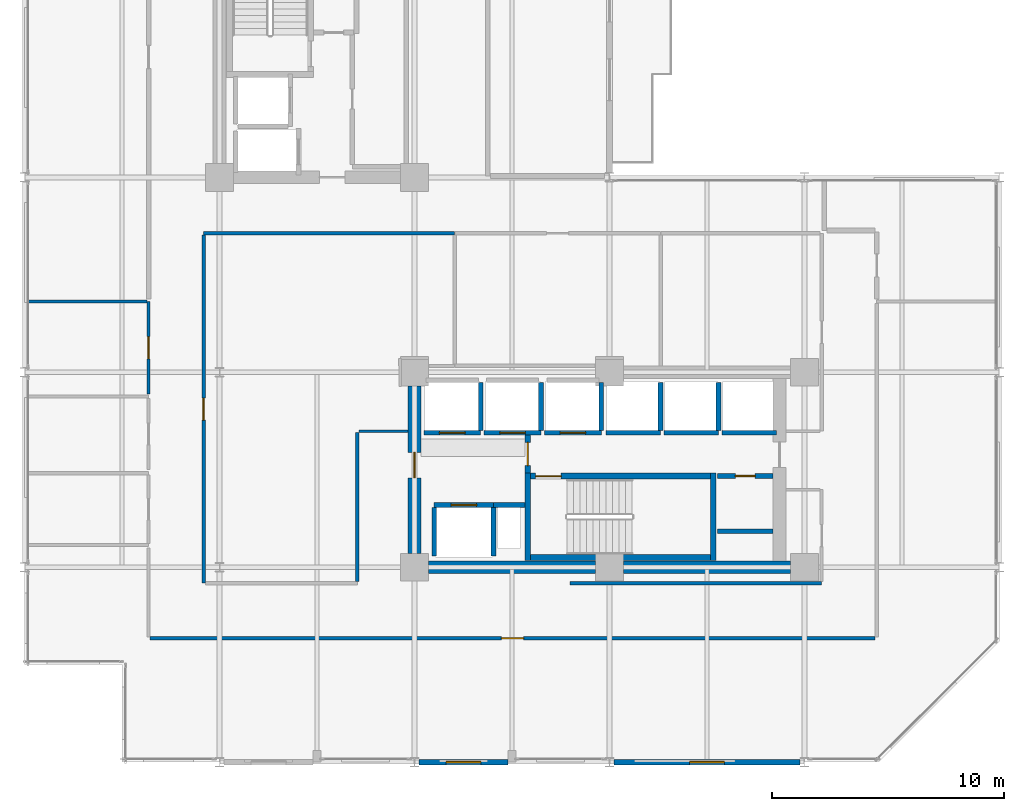
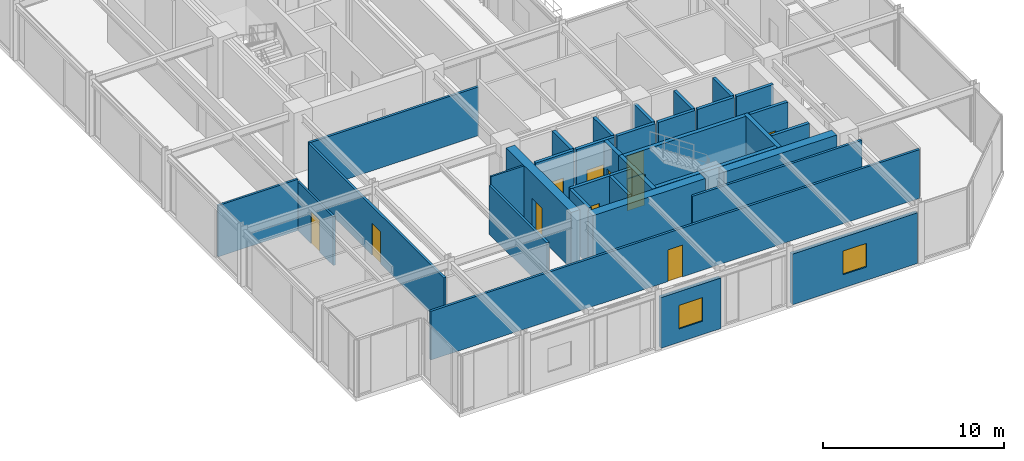
# One storey, part 24 of 29: 35 walls, 11 doors, 2 windows, 13 openings.
"""IFC4 building model written with IfcOpenShell, lengths in metres."""

from ifc_helpers import new_model, si_unit, direction, frame, frame_2d, origin, place, context, subcontext, project, spatial, rectangle, extrude, material, layer, layer_set, type_object, element, fill, save


model = new_model("IFC4")

# Units and contexts
model_context = context("Model", 3, precision=1e-05, world=origin(), true_north=direction((0.0, 1.0)))
body_context = subcontext(model_context, "Body", "Model", "MODEL_VIEW")
ifc_project = project(units=[si_unit("LENGTHUNIT", "METRE"), si_unit("AREAUNIT", "SQUARE_METRE"), si_unit("VOLUMEUNIT", "CUBIC_METRE"), si_unit("PLANEANGLEUNIT", "RADIAN"), si_unit("MASSUNIT", "GRAM", prefix="KILO")], contexts=[model_context])

# Site, building, storey
site_placement = place(None, origin())
site = spatial("IfcSite", under=ifc_project, at=site_placement, CompositionType="ELEMENT")
building_placement = place(site_placement, origin())
building = spatial("IfcBuilding", under=site, at=building_placement, Name="Nerrivon Quay Data Exchange", CompositionType="ELEMENT")
storey_placement = place(building_placement, frame((0.0, 0.0, 150.0)))
storey = spatial("IfcBuildingStorey", under=building, at=storey_placement, Name="L35", CompositionType="ELEMENT", Elevation=150.0)

# Wall, opening, window
ifc_material_1 = material(Name="Architectural terracotta precast concrete N50 (50 MPa)", Category="masonry")
ifc_layer_1 = layer(ifc_material_1, 0.239990234375)
ifc_layer_set_1 = layer_set([ifc_layer_1], Name="Architectural terracotta precast concrete N50 (50 MPa)")
wall_type_1 = type_object("IfcWallType", Name="EW-PREC-240", PredefinedType="STANDARD", material=ifc_layer_set_1)
wall_1_placement = place(storey_placement, frame((33.39990234375, 0.0, 0.0), z_axis=(0.0, 0.0, 1.0), x_axis=(-1.0, 0.0, 0.0)))
wall_1 = element("IfcWall", 1, at=wall_1_placement, inside=storey, type_object=wall_type_1, Name="L35 Podium Precast Spandrel Wall 3", PredefinedType="STANDARD", context=body_context, shape_type="SweptSolid", body=[
    extrude(rectangle(XDim=8.0, YDim=0.239990234375, at=frame_2d((4.0, 0.0))), origin(), (0.0, 0.0, 1.0), 3.422119140625),
])
opening_1_placement = place(wall_1_placement, frame((3.25, 0.0, 0.89990234375)))
opening_1 = element("IfcOpeningElement", 2, at=opening_1_placement, cuts=wall_1, Name="Opening WN4", PredefinedType="OPENING", context=body_context, shape_type="SweptSolid", body=[
    extrude(rectangle(XDim=1.5, YDim=1.60009765625, at=frame_2d((0.75, 0.800048828125))), frame((0.0, 0.1298828125, 0.0), z_axis=(0.0, -1.0, 0.0), x_axis=(1.0, 0.0, 0.0)), (0.0, 0.0, 1.0), 0.260009765625),
])
ifc_material_2 = material(Name="Double-glazed low-E solar control glass", Category="glass")
window_type = type_object("IfcWindowType", Name="WIN-W4-1500x1600", PartitioningType="SINGLE_PANEL", PredefinedType="WINDOW", material=ifc_material_2)
window_1_placement = place(opening_1_placement, origin())
window_1 = element("IfcWindow", 3, at=window_1_placement, inside=storey, type_object=window_type, Name="L35 Solar Facade Window 3", OverallHeight=1.60009765625, OverallWidth=1.5, PartitioningType="SINGLE_PANEL", PredefinedType="WINDOW", context=body_context, shape_type="SweptSolid", body=[
    extrude(rectangle(XDim=1.5, YDim=1.60009765625, at=frame_2d((0.75, 0.800048828125))), frame((0.0, 0.030029296875, 0.0), z_axis=(0.0, -1.0, 0.0), x_axis=(1.0, 0.0, 0.0)), (0.0, 0.0, 1.0), 0.06005859375),
])
fill(opening_1, window_1)

wall_2_placement = place(storey_placement, frame((20.824951171875, 0.0, 0.0), z_axis=(0.0, 0.0, 1.0), x_axis=(-1.0, 0.0, 0.0)))
wall_2 = element("IfcWall", 4, at=wall_2_placement, inside=storey, type_object=wall_type_1, Name="L35 Podium Precast Spandrel Wall 5", PredefinedType="STANDARD", context=body_context, shape_type="SweptSolid", body=[
    extrude(rectangle(XDim=3.824951171875, YDim=0.239990234375, at=frame_2d((1.91259765625, 0.0))), origin(), (0.0, 0.0, 1.0), 3.422119140625),
])
opening_2_placement = place(wall_2_placement, frame((1.16259765625, 0.0, 0.89990234375)))
opening_2 = element("IfcOpeningElement", 5, at=opening_2_placement, cuts=wall_2, Name="Opening WN4", PredefinedType="OPENING", context=body_context, shape_type="SweptSolid", body=[
    extrude(rectangle(XDim=1.5, YDim=1.60009765625, at=frame_2d((0.75, 0.800048828125))), frame((0.0, 0.1298828125, 0.0), z_axis=(0.0, -1.0, 0.0), x_axis=(1.0, 0.0, 0.0)), (0.0, 0.0, 1.0), 0.260009765625),
])
window_2_placement = place(opening_2_placement, origin())
window_2 = element("IfcWindow", 6, at=window_2_placement, inside=storey, type_object=window_type, Name="L35 Solar Facade Window 5", OverallHeight=1.60009765625, OverallWidth=1.5, PartitioningType="SINGLE_PANEL", PredefinedType="WINDOW", context=body_context, shape_type="SweptSolid", body=[
    extrude(rectangle(XDim=1.5, YDim=1.60009765625, at=frame_2d((0.75, 0.800048828125))), frame((0.0, 0.030029296875, 0.0), z_axis=(0.0, -1.0, 0.0), x_axis=(1.0, 0.0, 0.0)), (0.0, 0.0, 1.0), 0.06005859375),
])
fill(opening_2, window_2)

# Walls
ifc_material_3 = material(Name="Concrete S65 (65 MPa)", Category="concrete")
ifc_layer_2 = layer(ifc_material_3, 0.550048828125)
ifc_layer_set_2 = layer_set([ifc_layer_2], Name="Concrete S65 (65 MPa)")
wall_type_2 = type_object("IfcWallType", Name="WALL-CW-700", PredefinedType="SHEAR", material=ifc_layer_set_2)
wall_3_placement = place(storey_placement, frame((17.39990234375, 8.39990234375, 0.0), z_axis=(0.0, 0.0, 1.0), x_axis=(1.0, 0.0, 0.0)))
element("IfcWall", 7, at=wall_3_placement, inside=storey, type_object=wall_type_2, Name="L35 East Split-Core Shear Wall ECW-S1", PredefinedType="SHEAR", context=body_context, shape_type="SweptSolid", body=[
    extrude(rectangle(XDim=7.2001953125, YDim=0.550048828125, at=frame_2d((3.60009765625, 0.0))), origin(), (0.0, 0.0, 1.0), 3.824951171875),
])
wall_4_placement = place(storey_placement, frame((25.800048828125, 8.39990234375, 0.0), z_axis=(0.0, 0.0, 1.0), x_axis=(1.0, 0.0, 0.0)))
element("IfcWall", 8, at=wall_4_placement, inside=storey, type_object=wall_type_2, Name="L35 East Split-Core Shear Wall ECW-S2", PredefinedType="SHEAR", context=body_context, shape_type="SweptSolid", body=[
    extrude(rectangle(XDim=7.199951171875, YDim=0.550048828125, at=frame_2d((3.60009765625, 0.0))), origin(), (0.0, 0.0, 1.0), 3.824951171875),
])

# Wall, opening, door
wall_5_placement = place(storey_placement, frame((16.800048828125, 9.0, 0.0), z_axis=(0.0, 0.0, 1.0), x_axis=(0.0, 1.0, 0.0)))
wall_5 = element("IfcWall", 9, at=wall_5_placement, inside=storey, type_object=wall_type_2, Name="L35 East Split-Core Shear Wall ECW-W1", PredefinedType="SHEAR", context=body_context, shape_type="SweptSolid", body=[
    extrude(rectangle(XDim=7.199951171875, YDim=0.550048828125, at=frame_2d((3.60009765625, 0.0))), origin(), (0.0, 0.0, 1.0), 3.824951171875),
])
opening_3_placement = place(wall_5_placement, frame((3.25, 0.0, 0.0)))
opening_3 = element("IfcOpeningElement", 10, at=opening_3_placement, cuts=wall_5, Name="Opening FD-120", PredefinedType="OPENING", context=body_context, shape_type="SweptSolid", body=[
    extrude(rectangle(XDim=1.10009765625, YDim=2.14990234375, at=frame_2d((0.550048828125, 1.074951171875))), frame((0.0, 0.284912109375, 0.0), z_axis=(0.0, -1.0, 0.0), x_axis=(1.0, 0.0, 0.0)), (0.0, 0.0, 1.0), 0.570068359375),
])
ifc_material_4 = material(Name="Powder-coated galvanized steel sheet", Category="steel")
door_type_1 = type_object("IfcDoorType", Name="DR-FD120-1100", OperationType="NOTDEFINED", PredefinedType="DOOR", material=ifc_material_4)
door_1_placement = place(opening_3_placement, origin())
door_1 = element("IfcDoor", 11, at=door_1_placement, inside=storey, type_object=door_type_1, Name="L35 East Core Lobby Fire Door", OperationType="SINGLE_SWING_RIGHT", OverallHeight=2.14990234375, OverallWidth=1.10009765625, PredefinedType="DOOR", context=body_context, shape_type="SweptSolid", body=[
    extrude(rectangle(XDim=1.10009765625, YDim=2.14990234375, at=frame_2d((0.550048828125, 1.074951171875))), frame((0.0, 0.02490234375, 0.0), z_axis=(0.0, -1.0, 0.0), x_axis=(1.0, 0.0, 0.0)), (0.0, 0.0, 1.0), 0.050048828125),
])
fill(opening_3, door_1)

# Wall
ifc_material_5 = material(Name="Gypsum plasterboard on cold-formed framing", Category="gypsum")
ifc_layer_3 = layer(ifc_material_5, 0.199951171875)
ifc_layer_set_3 = layer_set([ifc_layer_3], Name="Gypsum plasterboard on cold-formed framing")
wall_type_3 = type_object("IfcWallType", Name="WALL-FW-200", PredefinedType="PARTITIONING", material=ifc_layer_set_3)
wall_6_placement = place(storey_placement, frame((20.199951171875, 11.080078125, 0.0), z_axis=(0.0, 0.0, 1.0), x_axis=(1.0, 0.0, 0.0)))
element("IfcWall", 12, at=wall_6_placement, inside=storey, type_object=wall_type_3, Name="L35 East Core MEP Riser Shaft Wall N", PredefinedType="PARTITIONING", context=body_context, shape_type="SweptSolid", body=[
    extrude(rectangle(XDim=1.35009765625, YDim=0.199951171875, at=frame_2d((0.675048828125, 0.0))), origin(), (0.0, 0.0, 1.0), 3.824951171875),
])

# Wall, opening, door
wall_7_placement = place(storey_placement, frame((17.64990234375, 11.080078125, 0.0), z_axis=(0.0, 0.0, 1.0), x_axis=(1.0, 0.0, 0.0)))
wall_7 = element("IfcWall", 13, at=wall_7_placement, inside=storey, type_object=wall_type_3, Name="L35 Lift Front Wall FFL-2", PredefinedType="PARTITIONING", context=body_context, shape_type="SweptSolid", body=[
    extrude(rectangle(XDim=2.550048828125, YDim=0.199951171875, at=frame_2d((1.27490234375, 0.0))), origin(), (0.0, 0.0, 1.0), 3.824951171875),
])
opening_4_placement = place(wall_7_placement, frame((0.72509765625, 0.0, 0.0)))
opening_4 = element("IfcOpeningElement", 14, at=opening_4_placement, cuts=wall_7, Name="Opening LD-120", PredefinedType="OPENING", context=body_context, shape_type="SweptSolid", body=[
    extrude(rectangle(XDim=1.10009765625, YDim=2.199951171875, at=frame_2d((0.550048828125, 1.10009765625))), frame((0.0, 0.10986328125, 0.0), z_axis=(0.0, -1.0, 0.0), x_axis=(1.0, 0.0, 0.0)), (0.0, 0.0, 1.0), 0.219970703125),
])
door_type_2 = type_object("IfcDoorType", Name="DR-LIFT-LD120", OperationType="DOUBLE_DOOR_SLIDING", PredefinedType="DOOR", material=ifc_material_4)
door_2_placement = place(opening_4_placement, origin())
door_2 = element("IfcDoor", 15, at=door_2_placement, inside=storey, type_object=door_type_2, Name="L35 Lift Landing Sliding Door FFL-2", OperationType="DOUBLE_DOOR_SLIDING", OverallHeight=2.199951171875, OverallWidth=1.10009765625, PredefinedType="DOOR", context=body_context, shape_type="SweptSolid", body=[
    extrude(rectangle(XDim=1.10009765625, YDim=2.199951171875, at=frame_2d((0.550048828125, 1.10009765625))), frame((0.0, 0.02490234375, 0.0), z_axis=(0.0, -1.0, 0.0), x_axis=(1.0, 0.0, 0.0)), (0.0, 0.0, 1.0), 0.050048828125),
])
fill(opening_4, door_2)

# Walls
for number, where, z_axis, x_axis, name in (
    (16, (20.199951171875, 8.8798828125, 0.0), (0.0, 0.0, 1.0), (0.0, 1.0, 0.0), "L35 Lift Shaft Wall FFL-2 EAST"),
    (17, (17.64990234375, 8.8798828125, 0.0), (0.0, 0.0, 1.0), (0.0, 1.0, 0.0), "L35 Lift Shaft Wall FFL-2 WEST"),
):
    element("IfcWall", number, at=place(storey_placement, frame(where, z_axis=z_axis, x_axis=x_axis)), inside=storey, type_object=wall_type_3, Name=name, PredefinedType="PARTITIONING", context=body_context, shape_type="SweptSolid", body=[
        extrude(rectangle(XDim=2.10009765625, YDim=0.199951171875, at=frame_2d((1.050048828125, 0.0))), origin(), (0.0, 0.0, 1.0), 3.824951171875),
    ])

# Wall, opening, door
wall_8_placement = place(storey_placement, frame((17.199951171875, 14.199951171875, 0.0), z_axis=(0.0, 0.0, 1.0), x_axis=(1.0, 0.0, 0.0)))
wall_8 = element("IfcWall", 18, at=wall_8_placement, inside=storey, type_object=wall_type_3, Name="L35 Lift Front Wall PL4", PredefinedType="PARTITIONING", context=body_context, shape_type="SweptSolid", body=[
    extrude(rectangle(XDim=2.449951171875, YDim=0.199951171875, at=frame_2d((1.22509765625, 0.0))), origin(), (0.0, 0.0, 1.0), 3.824951171875),
])
opening_5_placement = place(wall_8_placement, frame((0.675048828125, 0.0, 0.0)))
opening_5 = element("IfcOpeningElement", 19, at=opening_5_placement, cuts=wall_8, Name="Opening LD-120", PredefinedType="OPENING", context=body_context, shape_type="SweptSolid", body=[
    extrude(rectangle(XDim=1.10009765625, YDim=2.199951171875, at=frame_2d((0.550048828125, 1.10009765625))), frame((0.0, 0.10986328125, 0.0), z_axis=(0.0, -1.0, 0.0), x_axis=(1.0, 0.0, 0.0)), (0.0, 0.0, 1.0), 0.219970703125),
])
door_3_placement = place(opening_5_placement, origin())
door_3 = element("IfcDoor", 20, at=door_3_placement, inside=storey, type_object=door_type_2, Name="L35 Lift Landing Sliding Door PL4", OperationType="DOUBLE_DOOR_SLIDING", OverallHeight=2.199951171875, OverallWidth=1.10009765625, PredefinedType="DOOR", context=body_context, shape_type="SweptSolid", body=[
    extrude(rectangle(XDim=1.10009765625, YDim=2.199951171875, at=frame_2d((0.550048828125, 1.10009765625))), frame((0.0, 0.02490234375, 0.0), z_axis=(0.0, -1.0, 0.0), x_axis=(1.0, 0.0, 0.0)), (0.0, 0.0, 1.0), 0.050048828125),
])
fill(opening_5, door_3)

# Wall
wall_9_placement = place(storey_placement, frame((19.64990234375, 14.300048828125, 0.0), z_axis=(0.0, 0.0, 1.0), x_axis=(0.0, 1.0, 0.0)))
element("IfcWall", 21, at=wall_9_placement, inside=storey, type_object=wall_type_3, Name="L35 Lift Shaft Wall PL4 EAST", PredefinedType="PARTITIONING", context=body_context, shape_type="SweptSolid", body=[
    extrude(rectangle(XDim=2.050048828125, YDim=0.199951171875, at=frame_2d((1.02490234375, 0.0))), origin(), (0.0, 0.0, 1.0), 3.824951171875),
])

# Wall, opening, door
wall_10_placement = place(storey_placement, frame((19.800048828125, 14.199951171875, 0.0), z_axis=(0.0, 0.0, 1.0), x_axis=(1.0, 0.0, 0.0)))
wall_10 = element("IfcWall", 22, at=wall_10_placement, inside=storey, type_object=wall_type_3, Name="L35 Lift Front Wall PL5", PredefinedType="PARTITIONING", context=body_context, shape_type="SweptSolid", body=[
    extrude(rectangle(XDim=2.449951171875, YDim=0.199951171875, at=frame_2d((1.22509765625, 0.0))), origin(), (0.0, 0.0, 1.0), 3.824951171875),
])
opening_6_placement = place(wall_10_placement, frame((0.675048828125, 0.0, 0.0)))
opening_6 = element("IfcOpeningElement", 23, at=opening_6_placement, cuts=wall_10, Name="Opening LD-120", PredefinedType="OPENING", context=body_context, shape_type="SweptSolid", body=[
    extrude(rectangle(XDim=1.10009765625, YDim=2.199951171875, at=frame_2d((0.550048828125, 1.10009765625))), frame((0.0, 0.10986328125, 0.0), z_axis=(0.0, -1.0, 0.0), x_axis=(1.0, 0.0, 0.0)), (0.0, 0.0, 1.0), 0.219970703125),
])
door_4_placement = place(opening_6_placement, origin())
door_4 = element("IfcDoor", 24, at=door_4_placement, inside=storey, type_object=door_type_2, Name="L35 Lift Landing Sliding Door PL5", OperationType="DOUBLE_DOOR_SLIDING", OverallHeight=2.199951171875, OverallWidth=1.10009765625, PredefinedType="DOOR", context=body_context, shape_type="SweptSolid", body=[
    extrude(rectangle(XDim=1.10009765625, YDim=2.199951171875, at=frame_2d((0.550048828125, 1.10009765625))), frame((0.0, 0.02490234375, 0.0), z_axis=(0.0, -1.0, 0.0), x_axis=(1.0, 0.0, 0.0)), (0.0, 0.0, 1.0), 0.050048828125),
])
fill(opening_6, door_4)

# Wall
wall_11_placement = place(storey_placement, frame((22.25, 14.300048828125, 0.0), z_axis=(0.0, 0.0, 1.0), x_axis=(0.0, 1.0, 0.0)))
element("IfcWall", 25, at=wall_11_placement, inside=storey, type_object=wall_type_3, Name="L35 Lift Shaft Wall PL5 EAST", PredefinedType="PARTITIONING", context=body_context, shape_type="SweptSolid", body=[
    extrude(rectangle(XDim=2.050048828125, YDim=0.199951171875, at=frame_2d((1.02490234375, 0.0))), origin(), (0.0, 0.0, 1.0), 3.824951171875),
])

# Wall, opening, door
wall_12_placement = place(storey_placement, frame((22.39990234375, 14.199951171875, 0.0), z_axis=(0.0, 0.0, 1.0), x_axis=(1.0, 0.0, 0.0)))
wall_12 = element("IfcWall", 26, at=wall_12_placement, inside=storey, type_object=wall_type_3, Name="L35 Lift Front Wall PL6", PredefinedType="PARTITIONING", context=body_context, shape_type="SweptSolid", body=[
    extrude(rectangle(XDim=2.4501953125, YDim=0.199951171875, at=frame_2d((1.22509765625, 0.0))), origin(), (0.0, 0.0, 1.0), 3.824951171875),
])
opening_7_placement = place(wall_12_placement, frame((0.675048828125, 0.0, 0.0)))
opening_7 = element("IfcOpeningElement", 27, at=opening_7_placement, cuts=wall_12, Name="Opening LD-120", PredefinedType="OPENING", context=body_context, shape_type="SweptSolid", body=[
    extrude(rectangle(XDim=1.10009765625, YDim=2.199951171875, at=frame_2d((0.550048828125, 1.10009765625))), frame((0.0, 0.10986328125, 0.0), z_axis=(0.0, -1.0, 0.0), x_axis=(1.0, 0.0, 0.0)), (0.0, 0.0, 1.0), 0.219970703125),
])
door_5_placement = place(opening_7_placement, origin())
door_5 = element("IfcDoor", 28, at=door_5_placement, inside=storey, type_object=door_type_2, Name="L35 Lift Landing Sliding Door PL6", OperationType="DOUBLE_DOOR_SLIDING", OverallHeight=2.199951171875, OverallWidth=1.10009765625, PredefinedType="DOOR", context=body_context, shape_type="SweptSolid", body=[
    extrude(rectangle(XDim=1.10009765625, YDim=2.199951171875, at=frame_2d((0.550048828125, 1.10009765625))), frame((0.0, 0.02490234375, 0.0), z_axis=(0.0, -1.0, 0.0), x_axis=(1.0, 0.0, 0.0)), (0.0, 0.0, 1.0), 0.050048828125),
])
fill(opening_7, door_5)

# Walls
wall_13_placement = place(storey_placement, frame((24.85009765625, 14.300048828125, 0.0), z_axis=(0.0, 0.0, 1.0), x_axis=(0.0, 1.0, 0.0)))
element("IfcWall", 29, at=wall_13_placement, inside=storey, type_object=wall_type_3, Name="L35 Lift Shaft Wall PL6 EAST", PredefinedType="PARTITIONING", context=body_context, shape_type="SweptSolid", body=[
    extrude(rectangle(XDim=2.050048828125, YDim=0.199951171875, at=frame_2d((1.02490234375, 0.0))), origin(), (0.0, 0.0, 1.0), 3.824951171875),
])
wall_14_placement = place(storey_placement, frame((25.050048828125, 14.199951171875, 0.0), z_axis=(0.0, 0.0, 1.0), x_axis=(1.0, 0.0, 0.0)))
element("IfcWall", 30, at=wall_14_placement, inside=storey, type_object=wall_type_3, Name="L35 Lift Front Wall PL7", PredefinedType="PARTITIONING", context=body_context, shape_type="SweptSolid", body=[
    extrude(rectangle(XDim=2.349853515625, YDim=0.199951171875, at=frame_2d((1.1748046875, 0.0))), origin(), (0.0, 0.0, 1.0), 3.824951171875),
])
wall_15_placement = place(storey_placement, frame((27.39990234375, 14.300048828125, 0.0), z_axis=(0.0, 0.0, 1.0), x_axis=(0.0, 1.0, 0.0)))
element("IfcWall", 31, at=wall_15_placement, inside=storey, type_object=wall_type_3, Name="L35 Lift Shaft Wall PL7 EAST", PredefinedType="PARTITIONING", context=body_context, shape_type="SweptSolid", body=[
    extrude(rectangle(XDim=2.050048828125, YDim=0.199951171875, at=frame_2d((1.02490234375, 0.0))), origin(), (0.0, 0.0, 1.0), 3.824951171875),
])
wall_16_placement = place(storey_placement, frame((27.550048828125, 14.199951171875, 0.0), z_axis=(0.0, 0.0, 1.0), x_axis=(1.0, 0.0, 0.0)))
element("IfcWall", 32, at=wall_16_placement, inside=storey, type_object=wall_type_3, Name="L35 Lift Front Wall PL8", PredefinedType="PARTITIONING", context=body_context, shape_type="SweptSolid", body=[
    extrude(rectangle(XDim=2.349853515625, YDim=0.199951171875, at=frame_2d((1.1748046875, 0.0))), origin(), (0.0, 0.0, 1.0), 3.824951171875),
])
wall_17_placement = place(storey_placement, frame((29.89990234375, 14.300048828125, 0.0), z_axis=(0.0, 0.0, 1.0), x_axis=(0.0, 1.0, 0.0)))
element("IfcWall", 33, at=wall_17_placement, inside=storey, type_object=wall_type_3, Name="L35 Lift Shaft Wall PL8 EAST", PredefinedType="PARTITIONING", context=body_context, shape_type="SweptSolid", body=[
    extrude(rectangle(XDim=2.050048828125, YDim=0.199951171875, at=frame_2d((1.02490234375, 0.0))), origin(), (0.0, 0.0, 1.0), 3.824951171875),
])
wall_18_placement = place(storey_placement, frame((30.050048828125, 14.199951171875, 0.0), z_axis=(0.0, 0.0, 1.0), x_axis=(1.0, 0.0, 0.0)))
element("IfcWall", 34, at=wall_18_placement, inside=storey, type_object=wall_type_3, Name="L35 Lift Front Wall PL9", PredefinedType="PARTITIONING", context=body_context, shape_type="SweptSolid", body=[
    extrude(rectangle(XDim=2.349853515625, YDim=0.199951171875, at=frame_2d((1.1748046875, 0.0))), origin(), (0.0, 0.0, 1.0), 3.824951171875),
])

# Wall, opening, door
wall_19_placement = place(storey_placement, frame((32.24609375, 12.330078125, 0.0), z_axis=(0.0, 0.0, 1.0), x_axis=(-1.0, 0.0, 0.0)))
wall_19 = element("IfcWall", 35, at=wall_19_placement, inside=storey, type_object=wall_type_3, Name="L35 Partition East Supply Store", PredefinedType="PARTITIONING", context=body_context, shape_type="SweptSolid", body=[
    extrude(rectangle(XDim=2.39599609375, YDim=0.199951171875, at=frame_2d((1.197998046875, 0.0))), origin(), (0.0, 0.0, 1.0), 3.824951171875),
])
opening_8_placement = place(wall_19_placement, frame((0.77294921875, 0.0, 0.0)))
opening_8 = element("IfcOpeningElement", 36, at=opening_8_placement, cuts=wall_19, Name="Opening FD-60S", PredefinedType="OPENING", context=body_context, shape_type="SweptSolid", body=[
    extrude(rectangle(XDim=0.85009765625, YDim=2.14990234375, at=frame_2d((0.425048828125, 1.074951171875))), frame((0.0, 0.10986328125, 0.0), z_axis=(0.0, -1.0, 0.0), x_axis=(1.0, 0.0, 0.0)), (0.0, 0.0, 1.0), 0.219970703125),
])
ifc_material_6 = material(Name="Engineered hardwood timber", Category="wood")
door_type_3 = type_object("IfcDoorType", Name="DR-FD60-850", OperationType="NOTDEFINED", PredefinedType="DOOR", material=ifc_material_6)
door_6_placement = place(opening_8_placement, origin())
door_6 = element("IfcDoor", 37, at=door_6_placement, inside=storey, type_object=door_type_3, Name="L35 Door East Supply Store", OperationType="SINGLE_SWING_LEFT", OverallHeight=2.14990234375, OverallWidth=0.85009765625, PredefinedType="DOOR", context=body_context, shape_type="SweptSolid", body=[
    extrude(rectangle(XDim=0.85009765625, YDim=2.14990234375, at=frame_2d((0.425048828125, 1.074951171875))), frame((0.0, 0.02490234375, 0.0), z_axis=(0.0, -1.0, 0.0), x_axis=(1.0, 0.0, 0.0)), (0.0, 0.0, 1.0), 0.050048828125),
])
fill(opening_8, door_6)

# Walls
wall_20_placement = place(storey_placement, frame((29.85009765625, 9.949951171875, 0.0), z_axis=(0.0, 0.0, 1.0), x_axis=(1.0, 0.0, 0.0)))
element("IfcWall", 38, at=wall_20_placement, inside=storey, type_object=wall_type_3, Name="L35 Partition East Supply Store", PredefinedType="PARTITIONING", context=body_context, shape_type="SweptSolid", body=[
    extrude(rectangle(XDim=2.39599609375, YDim=0.199951171875, at=frame_2d((1.197998046875, 0.0))), origin(), (0.0, 0.0, 1.0), 3.824951171875),
])
ifc_layer_4 = layer(ifc_material_5, 0.1201171875)
ifc_layer_set_4 = layer_set([ifc_layer_4], Name="Gypsum plasterboard on cold-formed framing")
wall_type_4 = type_object("IfcWallType", Name="WALL-PT-120", PredefinedType="PARTITIONING", material=ifc_layer_set_4)
wall_21_placement = place(storey_placement, frame((14.39990234375, 14.260009765625, 0.0), z_axis=(0.0, 0.0, 1.0), x_axis=(1.0, 0.0, 0.0)))
element("IfcWall", 39, at=wall_21_placement, inside=storey, type_object=wall_type_4, Name="L35 Partition Peering Huddle Meeting Room", PredefinedType="PARTITIONING", context=body_context, shape_type="SweptSolid", body=[
    extrude(rectangle(XDim=2.12109375, YDim=0.1201171875, at=frame_2d((1.060546875, 0.0))), origin(), (0.0, 0.0, 1.0), 3.824951171875),
])

# Wall, opening, door
ifc_layer_5 = layer(ifc_material_5, 0.135009765625)
ifc_layer_set_5 = layer_set([ifc_layer_5], Name="Gypsum plasterboard on cold-formed framing")
wall_type_5 = type_object("IfcWallType", Name="WALL-PT-135", PredefinedType="PARTITIONING", material=ifc_layer_set_5)
wall_22_placement = place(storey_placement, frame((5.340087890625, 15.8701171875, 0.0), z_axis=(0.0, 0.0, 1.0), x_axis=(0.0, 1.0, 0.0)))
wall_22 = element("IfcWall", 40, at=wall_22_placement, inside=storey, type_object=wall_type_5, Name="L35 Partition Network Security Control", PredefinedType="PARTITIONING", context=body_context, shape_type="SweptSolid", body=[
    extrude(rectangle(XDim=3.97314453125, YDim=0.135009765625, at=frame_2d((1.986572265625, 0.0))), origin(), (0.0, 0.0, 1.0), 3.2919921875),
])
opening_9_placement = place(wall_22_placement, frame((1.51171875, 0.0, 0.0)))
opening_9 = element("IfcOpeningElement", 41, at=opening_9_placement, cuts=wall_22, Name="Opening D-01", PredefinedType="OPENING", context=body_context, shape_type="SweptSolid", body=[
    extrude(rectangle(XDim=0.949951171875, YDim=2.14990234375, at=frame_2d((0.47509765625, 1.074951171875))), frame((0.0, 0.077392578125, 0.0), z_axis=(0.0, -1.0, 0.0), x_axis=(1.0, 0.0, 0.0)), (0.0, 0.0, 1.0), 0.155029296875),
])
door_type_4 = type_object("IfcDoorType", Name="DR-INT-950", OperationType="NOTDEFINED", PredefinedType="DOOR", material=ifc_material_6)
door_7_placement = place(opening_9_placement, origin())
door_7 = element("IfcDoor", 42, at=door_7_placement, inside=storey, type_object=door_type_4, Name="L35 Door Network Security Control", OperationType="SINGLE_SWING_LEFT", OverallHeight=2.14990234375, OverallWidth=0.949951171875, PredefinedType="DOOR", context=body_context, shape_type="SweptSolid", body=[
    extrude(rectangle(XDim=0.949951171875, YDim=2.14990234375, at=frame_2d((0.47509765625, 1.074951171875))), frame((0.0, 0.02490234375, 0.0), z_axis=(0.0, -1.0, 0.0), x_axis=(1.0, 0.0, 0.0)), (0.0, 0.0, 1.0), 0.050048828125),
])
fill(opening_9, door_7)

# Walls
wall_23_placement = place(storey_placement, frame((5.2685546875, 19.84326171875, 0.0), z_axis=(0.0, 0.0, 1.0), x_axis=(-1.0, 0.0, 0.0)))
element("IfcWall", 43, at=wall_23_placement, inside=storey, type_object=wall_type_5, Name="L35 Partition Network Security Control", PredefinedType="PARTITIONING", context=body_context, shape_type="SweptSolid", body=[
    extrude(rectangle(XDim=5.099609375, YDim=0.135009765625, at=frame_2d((2.5498046875, 0.0))), origin(), (0.0, 0.0, 1.0), 3.468994140625),
])
ifc_layer_6 = layer(ifc_material_5, 0.14990234375)
ifc_layer_set_6 = layer_set([ifc_layer_6], Name="Gypsum plasterboard on cold-formed framing")
wall_type_6 = type_object("IfcWallType", Name="WALL-PT-150", PredefinedType="PARTITIONING", material=ifc_layer_set_6)
wall_24_placement = place(storey_placement, frame((23.50244140625, 7.7099609375, 0.0), z_axis=(0.0, 0.0, 1.0), x_axis=(1.0, 0.0, 0.0)))
element("IfcWall", 44, at=wall_24_placement, inside=storey, type_object=wall_type_6, Name="L35 Partition Staff Pantry", PredefinedType="PARTITIONING", context=body_context, shape_type="SweptSolid", body=[
    extrude(rectangle(XDim=10.837646484375, YDim=0.14990234375, at=frame_2d((5.4189453125, 0.0))), origin(), (0.0, 0.0, 1.0), 3.297119140625),
])
wall_25_placement = place(storey_placement, frame((18.51953125, 22.7900390625, 0.0), z_axis=(0.0, 0.0, 1.0), x_axis=(-1.0, 0.0, 0.0)))
element("IfcWall", 45, at=wall_25_placement, inside=storey, type_object=wall_type_6, Name="L35 Partition Peering Huddle Meeting Room", PredefinedType="PARTITIONING", context=body_context, shape_type="SweptSolid", body=[
    extrude(rectangle(XDim=10.8095703125, YDim=0.14990234375, at=frame_2d((5.40478515625, 0.0))), origin(), (0.0, 0.0, 1.0), 3.297119140625),
])

# Wall, opening, door
wall_26_placement = place(storey_placement, frame((7.7099609375, 22.7109375, 0.0), z_axis=(0.0, 0.0, 1.0), x_axis=(0.0, -1.0, 0.0)))
wall_26 = element("IfcWall", 46, at=wall_26_placement, inside=storey, type_object=wall_type_6, Name="L35 Partition Peering Huddle Meeting Room", PredefinedType="PARTITIONING", context=body_context, shape_type="SweptSolid", body=[
    extrude(rectangle(XDim=15.0009765625, YDim=0.14990234375, at=frame_2d((7.50048828125, 0.0))), origin(), (0.0, 0.0, 1.0), 3.2919921875),
])
opening_10_placement = place(wall_26_placement, frame((7.025390625, 0.0, 0.0)))
opening_10 = element("IfcOpeningElement", 47, at=opening_10_placement, cuts=wall_26, Name="Opening D-01", PredefinedType="OPENING", context=body_context, shape_type="SweptSolid", body=[
    extrude(rectangle(XDim=0.949951171875, YDim=2.14990234375, at=frame_2d((0.47509765625, 1.074951171875))), frame((0.0, 0.0849609375, 0.0), z_axis=(0.0, -1.0, 0.0), x_axis=(1.0, 0.0, 0.0)), (0.0, 0.0, 1.0), 0.169921875),
])
door_8_placement = place(opening_10_placement, origin())
door_8 = element("IfcDoor", 48, at=door_8_placement, inside=storey, type_object=door_type_4, Name="L35 Door Peering Huddle Meeting Room", OperationType="SINGLE_SWING_RIGHT", OverallHeight=2.14990234375, OverallWidth=0.949951171875, PredefinedType="DOOR", context=body_context, shape_type="SweptSolid", body=[
    extrude(rectangle(XDim=0.949951171875, YDim=2.14990234375, at=frame_2d((0.47509765625, 1.074951171875))), frame((0.0, 0.02490234375, 0.0), z_axis=(0.0, -1.0, 0.0), x_axis=(1.0, 0.0, 0.0)), (0.0, 0.0, 1.0), 0.050048828125),
])
fill(opening_10, door_8)

# Wall
wall_27_placement = place(storey_placement, frame((14.340087890625, 7.7890625, 0.0), z_axis=(0.0, 0.0, 1.0), x_axis=(0.0, 1.0, 0.0)))
element("IfcWall", 49, at=wall_27_placement, inside=storey, type_object=wall_type_6, Name="L35 Partition Peering Huddle Meeting Room", PredefinedType="PARTITIONING", context=body_context, shape_type="SweptSolid", body=[
    extrude(rectangle(XDim=6.410888671875, YDim=0.14990234375, at=frame_2d((3.20556640625, 0.0))), origin(), (0.0, 0.0, 1.0), 3.2919921875),
])

# Wall, opening, door
wall_28_placement = place(storey_placement, frame((36.64990234375, 5.340087890625, 0.0), z_axis=(0.0, 0.0, 1.0), x_axis=(-0.999999999969, 7.811035e-06, 0.0)))
wall_28 = element("IfcWall", 50, at=wall_28_placement, inside=storey, type_object=wall_type_6, Name="L35 Partition Technical Library", PredefinedType="PARTITIONING", context=body_context, shape_type="SweptSolid", body=[
    extrude(rectangle(XDim=31.255859375, YDim=0.14990234375, at=frame_2d((15.6279296875, 0.0))), origin(), (0.0, 0.0, 1.0), 3.297119140625),
])
opening_11_placement = place(wall_28_placement, frame((15.153076171875, 0.0, 0.0)))
opening_11 = element("IfcOpeningElement", 51, at=opening_11_placement, cuts=wall_28, Name="Opening D-01", PredefinedType="OPENING", context=body_context, shape_type="SweptSolid", body=[
    extrude(rectangle(XDim=0.949951171875, YDim=2.14990234375, at=frame_2d((0.47509765625, 1.074951171875))), frame((0.0, 0.0849609375, 0.0), z_axis=(0.0, -1.0, 0.0), x_axis=(1.0, 0.0, 0.0)), (0.0, 0.0, 1.0), 0.169921875),
])
door_9_placement = place(opening_11_placement, origin())
door_9 = element("IfcDoor", 52, at=door_9_placement, inside=storey, type_object=door_type_4, Name="L35 Door Technical Library", OperationType="SINGLE_SWING_LEFT", OverallHeight=2.14990234375, OverallWidth=0.949951171875, PredefinedType="DOOR", context=body_context, shape_type="SweptSolid", body=[
    extrude(rectangle(XDim=0.949951171875, YDim=2.14990234375, at=frame_2d((0.47509765625, 1.074951171875))), frame((0.0, 0.02490234375, 0.0), z_axis=(0.0, -1.0, 0.0), x_axis=(1.0, 0.0, 0.0)), (0.0, 0.0, 1.0), 0.050048828125),
])
fill(opening_11, door_9)

# Walls
ifc_material_7 = material(Name="Concrete N50 (50 MPa)", Category="concrete")
ifc_layer_7 = layer(ifc_material_7, 0.25)
ifc_layer_set_7 = layer_set([ifc_layer_7], Name="Concrete N50 (50 MPa)")
wall_type_7 = type_object("IfcWallType", Name="WALL-SW-250", PredefinedType="SHEAR", material=ifc_layer_set_7)
for number, where, z_axis, x_axis, name in (
    (53, (21.675048828125, 8.699951171875, 0.0), (0.0, 0.0, 1.0), (0.0, 1.0, 0.0), "L35 ST02 Structural Stair Core Wall NEAR"),
    (54, (29.675048828125, 8.699951171875, 0.0), (0.0, 0.0, 1.0), (0.0, 1.0, 0.0), "L35 ST02 Structural Stair Core Wall FAR"),
):
    element("IfcWall", number, at=place(storey_placement, frame(where, z_axis=z_axis, x_axis=x_axis)), inside=storey, type_object=wall_type_7, Name=name, PredefinedType="SHEAR", context=body_context, shape_type="SweptSolid", body=[
        extrude(rectangle(XDim=3.75, YDim=0.25, at=frame_2d((1.875, 0.0))), origin(), (0.0, 0.0, 1.0), 3.824951171875),
    ])
wall_29_placement = place(storey_placement, frame((21.800048828125, 8.824951171875, 0.0), z_axis=(0.0, 0.0, 1.0), x_axis=(1.0, 0.0, 0.0)))
element("IfcWall", 55, at=wall_29_placement, inside=storey, type_object=wall_type_7, Name="L35 ST02 Structural Stair Core Wall LEFT", PredefinedType="SHEAR", context=body_context, shape_type="SweptSolid", body=[
    extrude(rectangle(XDim=7.75, YDim=0.25, at=frame_2d((3.875, 0.0))), origin(), (0.0, 0.0, 1.0), 3.824951171875),
])

# Wall, opening, door
wall_30_placement = place(storey_placement, frame((21.800048828125, 12.324951171875, 0.0), z_axis=(0.0, 0.0, 1.0), x_axis=(1.0, 0.0, 0.0)))
wall_30 = element("IfcWall", 56, at=wall_30_placement, inside=storey, type_object=wall_type_7, Name="L35 ST02 Structural Stair Core Wall RIGHT", PredefinedType="SHEAR", context=body_context, shape_type="SweptSolid", body=[
    extrude(rectangle(XDim=7.75, YDim=0.25, at=frame_2d((3.875, 0.0))), origin(), (0.0, 0.0, 1.0), 3.824951171875),
])
opening_12_placement = place(wall_30_placement, frame((0.219970703125, 0.0, 0.0)))
opening_12 = element("IfcOpeningElement", 57, at=opening_12_placement, cuts=wall_30, Name="Opening FD-120", PredefinedType="OPENING", context=body_context, shape_type="SweptSolid", body=[
    extrude(rectangle(XDim=1.10009765625, YDim=2.14990234375, at=frame_2d((0.550048828125, 1.074951171875))), frame((0.0, 0.135009765625, 0.0), z_axis=(0.0, -1.0, 0.0), x_axis=(1.0, 0.0, 0.0)), (0.0, 0.0, 1.0), 0.27001953125),
])
door_10_placement = place(opening_12_placement, origin())
door_10 = element("IfcDoor", 58, at=door_10_placement, inside=storey, type_object=door_type_1, Name="L35 Protected Stair Door ST02", OperationType="SINGLE_SWING_RIGHT", OverallHeight=2.14990234375, OverallWidth=1.10009765625, PredefinedType="DOOR", context=body_context, shape_type="SweptSolid", body=[
    extrude(rectangle(XDim=1.10009765625, YDim=2.14990234375, at=frame_2d((0.550048828125, 1.074951171875))), frame((0.0, 0.02490234375, 0.0), z_axis=(0.0, -1.0, 0.0), x_axis=(1.0, 0.0, 0.0)), (0.0, 0.0, 1.0), 0.050048828125),
])
fill(opening_12, door_10)

wall_31_placement = place(storey_placement, frame((21.679931640625, 12.449951171875, 0.0), z_axis=(0.0, 0.0, 1.0), x_axis=(0.0, 1.0, 0.0)))
wall_31 = element("IfcWall", 59, at=wall_31_placement, inside=storey, type_object=wall_type_7, Name="L35 East Firefighting Lobby Wall", PredefinedType="SHEAR", context=body_context, shape_type="SweptSolid", body=[
    extrude(rectangle(XDim=1.650146484375, YDim=0.25, at=frame_2d((0.8251953125, 0.0))), origin(), (0.0, 0.0, 1.0), 3.824951171875),
])
opening_13_placement = place(wall_31_placement, frame((0.324951171875, 0.0, 0.0)))
opening_13 = element("IfcOpeningElement", 60, at=opening_13_placement, cuts=wall_31, Name="Opening FD-60", PredefinedType="OPENING", context=body_context, shape_type="SweptSolid", body=[
    extrude(rectangle(XDim=1.0, YDim=2.14990234375, at=frame_2d((0.5, 1.074951171875))), frame((0.0, 0.135009765625, 0.0), z_axis=(0.0, -1.0, 0.0), x_axis=(1.0, 0.0, 0.0)), (0.0, 0.0, 1.0), 0.27001953125),
])
door_type_5 = type_object("IfcDoorType", Name="DR-FD60-1000", OperationType="NOTDEFINED", PredefinedType="DOOR", material=ifc_material_6)
door_11_placement = place(opening_13_placement, origin())
door_11 = element("IfcDoor", 61, at=door_11_placement, inside=storey, type_object=door_type_5, Name="L35 East Firefighting Lobby Fire Door", OperationType="SINGLE_SWING_RIGHT", OverallHeight=2.14990234375, OverallWidth=1.0, PredefinedType="DOOR", context=body_context, shape_type="SweptSolid", body=[
    extrude(rectangle(XDim=1.0, YDim=2.14990234375, at=frame_2d((0.5, 1.074951171875))), frame((0.0, 0.02490234375, 0.0), z_axis=(0.0, -1.0, 0.0), x_axis=(1.0, 0.0, 0.0)), (0.0, 0.0, 1.0), 0.050048828125),
])
fill(opening_13, door_11)

save(model, "model.ifc")
